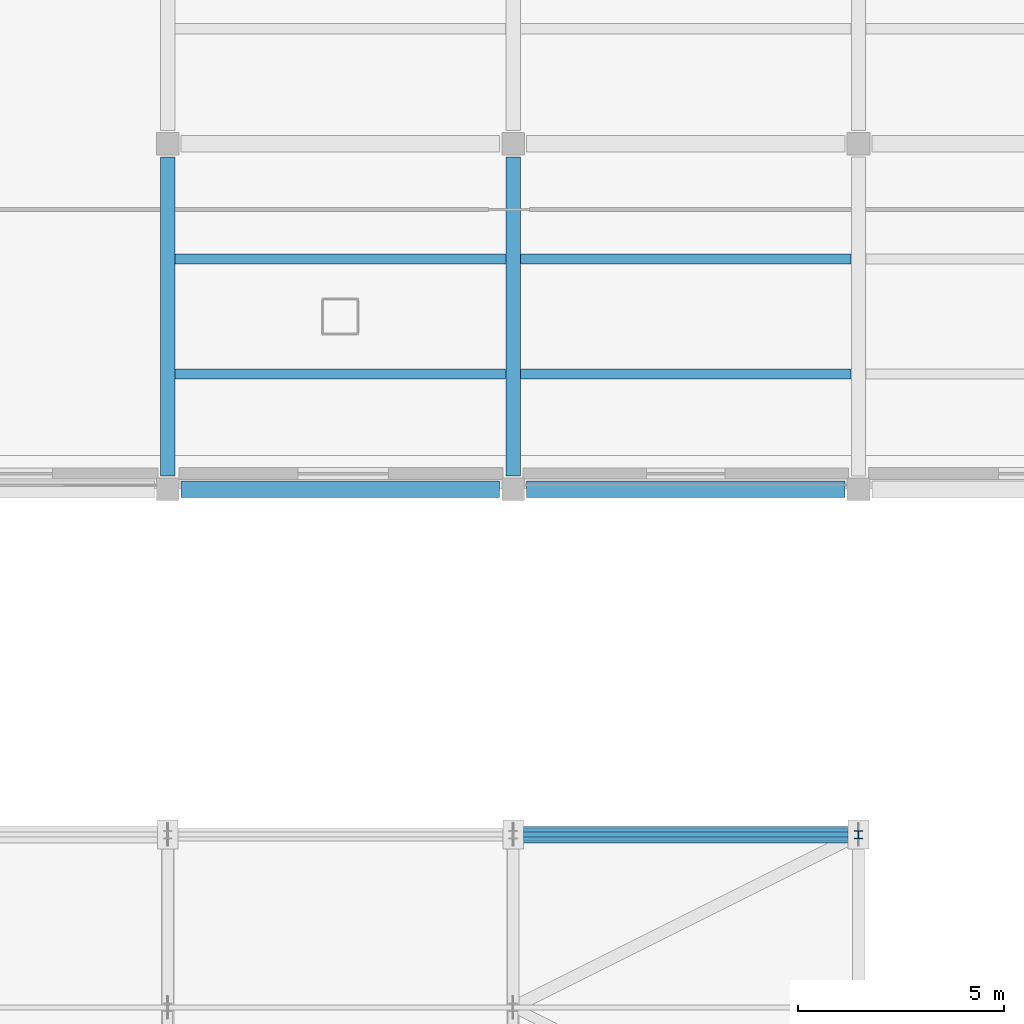
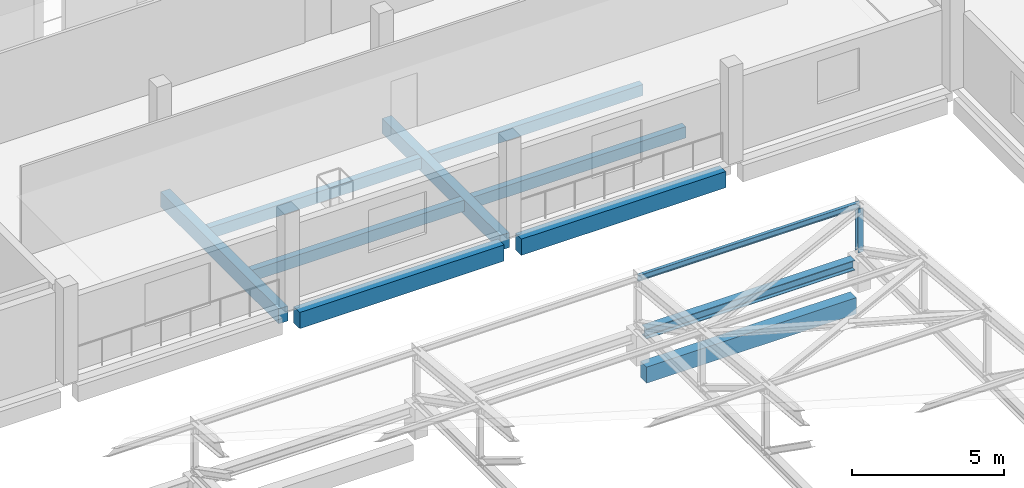
# One storey, part 33 of 74: 10 beams, 2 members.
"""IFC4 building model written with IfcOpenShell, lengths in metres."""

import ifcopenshell
import ifcopenshell.guid

model = None  # the IFC model being written
_history = None  # IfcOwnerHistory: only IFC2X3 demands one
_inside = {}  # id of a spatial element -> (the spatial element, [elements in it])
_under = {}  # id of a project, library or spatial element -> (it, [spatial elements below it])
_declared = {}  # id of a project -> (the project, [libraries it declares])
_typed = {}  # id of a type object -> (the type object, [elements of that type])
_made_of = {}  # id of a material, layer set ... -> (it, [elements and type objects made of it])


def new_model(schema):
    """Start an empty IFC model of exactly this schema.

    Asked for "IFC4X3", IfcOpenShell would pick the latest addendum, in which some entities
    have other attributes; the version numbers below select the first issue.
    IFC2X3 requires an IfcOwnerHistory on every rooted entity: one is made here for all.
    """
    global model, _history
    if schema == "IFC4X3":
        model = ifcopenshell.file(schema_version=(4, 3, 0, 0))
    else:
        model = ifcopenshell.file(schema=schema)
    _inside.clear()
    _under.clear()
    _declared.clear()
    _typed.clear()
    _made_of.clear()
    _history = None
    if model.schema == "IFC2X3":
        org = make("IfcOrganization", Name="unknown")
        user = make(
            "IfcPersonAndOrganization",
            ThePerson=make("IfcPerson", FamilyName="unknown"),
            TheOrganization=org,
        )
        app = make(
            "IfcApplication",
            ApplicationDeveloper=org,
            Version="unknown",
            ApplicationFullName="unknown",
            ApplicationIdentifier="unknown",
        )
        _history = make(
            "IfcOwnerHistory",
            OwningUser=user,
            OwningApplication=app,
            ChangeAction="ADDED",
            CreationDate=0,
        )
    return model


def make(cls, **values):
    """One entity of the class cls with the attributes given. An attribute that is None is left unset."""
    return model.create_entity(
        cls, **{name: value for name, value in values.items() if value is not None}
    )


def rooted(cls, **values):
    """An entity with a GlobalId (a new one), such as an element, a storey or a relation."""
    return make(cls, GlobalId=ifcopenshell.guid.new(), OwnerHistory=_history, **values)


def si_unit(unit_type, name, prefix=None):
    """IfcSIUnit, for example si_unit("LENGTHUNIT", "METRE", prefix="MILLI")."""
    return make("IfcSIUnit", UnitType=unit_type, Prefix=prefix, Name=name)


def derived_unit(unit_type, elements):
    """IfcDerivedUnit: a product of units, each with its exponent."""
    return make(
        "IfcDerivedUnit",
        Elements=[
            make("IfcDerivedUnitElement", Unit=unit, Exponent=power)
            for unit, power in elements
        ],
        UnitType=unit_type,
    )


def assignment(units):
    """IfcUnitAssignment: the units of a project."""
    return None if units is None else make("IfcUnitAssignment", Units=units)


def point(xyz):
    """IfcCartesianPoint."""
    return None if xyz is None else make("IfcCartesianPoint", Coordinates=xyz)


def direction(xyz):
    """IfcDirection."""
    return None if xyz is None else make("IfcDirection", DirectionRatios=xyz)


def frame(location, z_axis=None, x_axis=None):
    """IfcAxis2Placement3D, a coordinate frame: its origin and axes. An axis left out is left unset."""
    return make(
        "IfcAxis2Placement3D",
        Location=point(location),
        Axis=direction(z_axis),
        RefDirection=direction(x_axis),
    )


def frame_2d(location, x_axis=None):
    """IfcAxis2Placement2D, a coordinate frame in the plane: its origin and x axis."""
    return make(
        "IfcAxis2Placement2D", Location=point(location), RefDirection=direction(x_axis)
    )


def origin():
    """The frame at (0, 0, 0) with its axes left unset."""
    return frame((0.0, 0.0, 0.0))


def origin_2d():
    """The frame at (0, 0) in the plane with its x axis left unset."""
    return frame_2d((0.0, 0.0))


def place(relative_to, where):
    """IfcLocalPlacement: puts the frame where relative to a parent placement (None: the world)."""
    return make(
        "IfcLocalPlacement", PlacementRelTo=relative_to, RelativePlacement=where
    )


def context(
    kind, dimensions, precision=None, world=None, true_north=None, identifier=None
):
    """IfcGeometricRepresentationContext, for example the 3D "Model" context."""
    return make(
        "IfcGeometricRepresentationContext",
        ContextIdentifier=identifier,
        ContextType=kind,
        CoordinateSpaceDimension=dimensions,
        Precision=precision,
        WorldCoordinateSystem=world,
        TrueNorth=true_north,
    )


def subcontext(parent, identifier, kind, view, scale=None):
    """IfcGeometricRepresentationSubContext, for example "Body" below "Model"."""
    return make(
        "IfcGeometricRepresentationSubContext",
        ContextIdentifier=identifier,
        ContextType=kind,
        ParentContext=parent,
        TargetScale=scale,
        TargetView=view,
    )


def project(units=None, contexts=None):
    """IfcProject with its units and contexts."""
    return rooted(
        "IfcProject",
        Name="project",
        RepresentationContexts=contexts,
        UnitsInContext=assignment(units),
    )


def spatial(cls, under=None, at=None, **own):
    """A site, building, storey or space (cls), placed at a placement, below another one or the project."""
    s = rooted(cls, ObjectPlacement=at, **own)
    if under is not None:
        _under.setdefault(under.id(), (under, []))[1].append(s)
    return s


def profile(cls, at=None, kind="AREA", **sizes):
    """A parametric profile (cls). Its sizes go by their IFC names, for example OverallWidth=200.0."""
    return make(cls, ProfileType=kind, Position=at, **sizes)


def rectangle(**sizes):
    """IfcRectangleProfileDef."""
    return profile("IfcRectangleProfileDef", **sizes)


def i_section(**sizes):
    """IfcIShapeProfileDef."""
    return profile("IfcIShapeProfileDef", **sizes)


def extrude(swept, where, along, depth):
    """IfcExtrudedAreaSolid: the profile swept, set in the frame where, extruded along a direction by depth."""
    return make(
        "IfcExtrudedAreaSolid",
        SweptArea=swept,
        Position=where,
        ExtrudedDirection=direction(along),
        Depth=depth,
    )


def shape(context_of_items, identifier, shape_type, items):
    """IfcShapeRepresentation: the items that make up one representation, for example the "Body"."""
    return make(
        "IfcShapeRepresentation",
        ContextOfItems=context_of_items,
        RepresentationIdentifier=identifier,
        RepresentationType=shape_type,
        Items=items,
    )


def material(Name=None, Category=None):
    """IfcMaterial."""
    return make("IfcMaterial", Name=Name, Category=Category)


def material_profile(
    of_material, cross_section, Name=None, Category=None, Priority=None
):
    """IfcMaterialProfile: a cross section and its material."""
    return make(
        "IfcMaterialProfile",
        Name=Name,
        Material=of_material,
        Profile=cross_section,
        Priority=Priority,
        Category=Category,
    )


def profile_set(profiles, Name=None, composite=None):
    """IfcMaterialProfileSet."""
    return make(
        "IfcMaterialProfileSet",
        Name=Name,
        MaterialProfiles=profiles,
        CompositeProfile=composite,
    )


def made_of(thing, what):
    """Note that an element or type object is made of a material, layer set ...; save() writes the relation."""
    if what is not None:
        _made_of.setdefault(what.id(), (what, []))[1].append(thing)
    return thing


def type_object(cls, material=None, **own):
    """A type object (cls), such as IfcWallType, which elements share."""
    return made_of(rooted(cls, **own), material)


def element(
    cls,
    number,
    at=None,
    inside=None,
    cuts=None,
    type_object=None,
    material=None,
    context=None,
    identifier="Body",
    shape_type=None,
    held_by="IfcProductDefinitionShape",
    body=None,
    shapes=None,
    **own,
):
    """One element of the class cls, such as IfcWall. Its Tag is "e" and its number.

    at: its placement. inside: the storey or other place that contains it. cuts: it is an
    opening in that element (IfcRelVoidsElement). A single representation is given by context,
    identifier, shape_type and body (its items); several are given by shapes. held_by: the class
    of the entity that holds the representations. save() writes the other relations.
    """
    e = rooted(cls, Tag="e%d" % number, ObjectPlacement=at, **own)
    if body is not None:
        shapes = [shape(context, identifier, shape_type, body)]
    if shapes is not None:
        e.Representation = make(held_by, Representations=shapes)
    if inside is not None:
        _inside.setdefault(inside.id(), (inside, []))[1].append(e)
    if cuts is not None:
        rooted(
            "IfcRelVoidsElement", RelatingBuildingElement=cuts, RelatedOpeningElement=e
        )
    if type_object is not None:
        _typed.setdefault(type_object.id(), (type_object, []))[1].append(e)
    return made_of(e, material)


def aggregate(whole, parts):
    """IfcRelAggregates: a whole, such as a stair, and the parts it consists of."""
    return rooted("IfcRelAggregates", RelatingObject=whole, RelatedObjects=parts)


def save(model, path):
    """Write the relations noted so far, then the file.

    IfcRelAggregates (storeys below a building ...), IfcRelContainedInSpatialStructure (elements
    in a storey), IfcRelDefinesByType, IfcRelAssociatesMaterial and IfcRelDeclares: one each for
    every whole, place, type object, material and project.
    """
    for whole, parts in _under.values():
        aggregate(whole, parts)
    for where, things in _inside.values():
        rooted(
            "IfcRelContainedInSpatialStructure",
            RelatedElements=things,
            RelatingStructure=where,
        )
    for kind, things in _typed.values():
        rooted("IfcRelDefinesByType", RelatedObjects=things, RelatingType=kind)
    for what, things in _made_of.values():
        rooted("IfcRelAssociatesMaterial", RelatedObjects=things, RelatingMaterial=what)
    for by, libraries in _declared.values():
        rooted("IfcRelDeclares", RelatingContext=by, RelatedDefinitions=libraries)
    model.write(path)


model = new_model("IFC4")

# Units and contexts
model_context = context("Model", 3, precision=1e-05, world=origin(), true_north=direction((0.0, 1.0)))
body_context = subcontext(model_context, "Body", "Model", "MODEL_VIEW")
ifc_project = project(units=[si_unit("LENGTHUNIT", "METRE"), si_unit("AREAUNIT", "SQUARE_METRE"), si_unit("VOLUMEUNIT", "CUBIC_METRE"), si_unit("PLANEANGLEUNIT", "RADIAN"), si_unit("MASSUNIT", "GRAM", prefix="KILO"), derived_unit("THERMALTRANSMITTANCEUNIT", [(si_unit("POWERUNIT", "WATT"), 1), (si_unit("LENGTHUNIT", "METRE"), -2), (si_unit("THERMODYNAMICTEMPERATUREUNIT", "KELVIN"), -1)])], contexts=[model_context])

# Site, building, storey
site_placement = place(None, origin())
site = spatial("IfcSite", under=ifc_project, at=site_placement, CompositionType="ELEMENT")
building_placement = place(site_placement, origin())
building = spatial("IfcBuilding", under=site, at=building_placement, Name="Elbkamm Science Centre", CompositionType="ELEMENT")
storey_placement = place(building_placement, frame((0.0, 0.0, 14.39990234375)))
storey = spatial("IfcBuildingStorey", under=building, at=storey_placement, Name="L03", CompositionType="ELEMENT", Elevation=14.39990234375)

# Beams
ifc_material_1 = material(Name="Concrete C40/50", Category="concrete")
ifc_material_profile_1 = material_profile(ifc_material_1, rectangle(XDim=0.35009765625, YDim=0.60009765625, at=origin_2d()), Name="RC 350x600")
ifc_profile_set_1 = profile_set([ifc_material_profile_1], Name="Concrete C40/50")
beam_type_1 = type_object("IfcBeamType", Name="BM-RC-350x600", PredefinedType="BEAM", material=ifc_profile_set_1)
for number, where, z_axis, x_axis, name in (
    (1, (100.800048828125, 42.324951171875, -0.579833984375), (0.0, 1.0, 0.0), (-1.0, 0.0, 0.0), "L03 Primary Y-Girder 003"),
    (2, (109.199951171875, 42.324951171875, -0.579833984375), (0.0, 1.0, 0.0), (-1.0, 0.0, 0.0), "L03 Primary Y-Girder 005"),
):
    element("IfcBeam", number, at=place(storey_placement, frame(where, z_axis=z_axis, x_axis=x_axis)), inside=storey, type_object=beam_type_1, Name=name, PredefinedType="BEAM", context=body_context, shape_type="SweptSolid", body=[
        extrude(rectangle(XDim=0.35009765625, YDim=0.60009765625, at=origin_2d()), origin(), (0.0, 0.0, 1.0), 7.75),
    ])
ifc_material_profile_2 = material_profile(ifc_material_1, rectangle(XDim=0.39990234375, YDim=0.64990234375, at=origin_2d()), Name="RC 400x650")
ifc_profile_set_2 = profile_set([ifc_material_profile_2], Name="Concrete C40/50")
beam_type_2 = type_object("IfcBeamType", Name="BM-RC-400x650", PredefinedType="BEAM", material=ifc_profile_set_2)
for number, where, z_axis, x_axis, name in (
    (3, (101.125, 42.0, -0.60498046875), (1.0, 0.0, 0.0), (0.0, 1.0, 0.0), "L03 Primary X-Girder 010"),
    (4, (109.52490234375, 42.0, -0.60498046875), (1.0, 0.0, 0.0), (0.0, 1.0, 0.0), "L03 Primary X-Girder 011"),
):
    element("IfcBeam", number, at=place(storey_placement, frame(where, z_axis=z_axis, x_axis=x_axis)), inside=storey, type_object=beam_type_2, Name=name, PredefinedType="BEAM", context=body_context, shape_type="SweptSolid", body=[
        extrude(rectangle(XDim=0.39990234375, YDim=0.64990234375, at=origin_2d()), origin(), (0.0, 0.0, 1.0), 7.75),
    ])
beam_1_placement = place(storey_placement, frame((109.419921875, 33.60009765625, -0.60498046875), z_axis=(1.0, 0.0, 0.0), x_axis=(0.0, 1.0, 0.0)))
element("IfcBeam", 5, at=beam_1_placement, inside=storey, type_object=beam_type_2, Name="L03 Perimeter Ring Tie Girder 056", PredefinedType="BEAM", context=body_context, shape_type="SweptSolid", body=[
    extrude(rectangle(XDim=0.39990234375, YDim=0.64990234375, at=origin_2d()), origin(), (0.0, 0.0, 1.0), 7.9599609375),
])
ifc_material_2 = material(Name="Steel EN 10025-2 S355J2", Category="steel")
ifc_material_profile_3 = material_profile(ifc_material_2, i_section(OverallWidth=0.300048828125, OverallDepth=0.39990234375, WebThickness=0.013427734375, FlangeThickness=0.02392578125, FilletRadius=0.027099609375, at=origin_2d()), Name="HEB 400")
ifc_profile_set_3 = profile_set([ifc_material_profile_3], Name="Steel EN 10025-2 S355J2")
beam_type_3 = type_object("IfcBeamType", Name="BM-STL-HEB400", PredefinedType="BEAM", material=ifc_profile_set_3)
beam_2_placement = place(storey_placement, frame((109.449951171875, 33.60009765625, 1.0), z_axis=(1.0, 0.0, 0.0), x_axis=(0.0, 1.0, 0.0)))
element("IfcBeam", 6, at=beam_2_placement, inside=storey, type_object=beam_type_3, Name="Theatre Eave Tie Girder N06", PredefinedType="SPANDREL", context=body_context, shape_type="SweptSolid", body=[
    extrude(i_section(OverallWidth=0.300048828125, OverallDepth=0.39990234375, WebThickness=0.013427734375, FlangeThickness=0.02392578125, FilletRadius=0.027099609375, at=origin_2d()), origin(), (0.0, 0.0, 1.0), 7.900146484375),
])
ifc_material_profile_4 = material_profile(ifc_material_1, rectangle(XDim=0.25, YDim=0.449951171875, at=origin_2d()), Name="RC 250x450")
ifc_profile_set_4 = profile_set([ifc_material_profile_4], Name="Concrete C40/50")
beam_type_4 = type_object("IfcBeamType", Name="JST-RC-250x450", PredefinedType="JOIST", material=ifc_profile_set_4)
for number, where, z_axis, x_axis, name in (
    (7, (100.97998046875, 44.800048828125, -0.5048828125), (1.0, 0.0, 0.0), (0.0, 1.0, 0.0), "L03 Secondary Floor Joist 003"),
    (8, (100.97998046875, 47.60009765625, -0.5048828125), (1.0, 0.0, 0.0), (0.0, 1.0, 0.0), "L03 Secondary Floor Joist 004"),
    (9, (109.3798828125, 44.800048828125, -0.5048828125), (1.0, 0.0, 0.0), (0.0, 1.0, 0.0), "L03 Secondary Floor Joist 007"),
    (10, (109.3798828125, 47.60009765625, -0.5048828125), (1.0, 0.0, 0.0), (0.0, 1.0, 0.0), "L03 Secondary Floor Joist 008"),
):
    element("IfcBeam", number, at=place(storey_placement, frame(where, z_axis=z_axis, x_axis=x_axis)), inside=storey, type_object=beam_type_4, Name=name, PredefinedType="JOIST", context=body_context, shape_type="SweptSolid", body=[
        extrude(rectangle(XDim=0.25, YDim=0.449951171875, at=origin_2d()), origin(), (0.0, 0.0, 1.0), 8.0400390625),
    ])

# Members
ifc_material_profile_5 = material_profile(ifc_material_2, i_section(OverallWidth=0.1201171875, OverallDepth=0.239990234375, WebThickness=0.006103515625, FlangeThickness=0.009765625, FilletRadius=0.014892578125, at=origin_2d()), Name="IPE 240")
ifc_profile_set_5 = profile_set([ifc_material_profile_5], Name="Steel EN 10025-2 S355J2")
member_type_1 = type_object("IfcMemberType", Name="MEM-PURLIN-IPE240", PredefinedType="PURLIN", material=ifc_profile_set_5)
member_1_placement = place(storey_placement, frame((109.199951171875, 33.60009765625, 3.257080078125), z_axis=(1.0, 0.0, 0.0), x_axis=(0.0, 1.0, 0.0)))
element("IfcMember", 11, at=member_1_placement, inside=storey, type_object=member_type_1, Name="Theatre Roof Purlin Bay 6-9", PredefinedType="PURLIN", context=body_context, shape_type="SweptSolid", body=[
    extrude(i_section(OverallWidth=0.1201171875, OverallDepth=0.239990234375, WebThickness=0.006103515625, FlangeThickness=0.009765625, FilletRadius=0.014892578125, at=origin_2d()), origin(), (0.0, 0.0, 1.0), 8.400146484375),
])
ifc_material_profile_6 = material_profile(ifc_material_2, i_section(OverallWidth=0.199951171875, OverallDepth=0.199951171875, WebThickness=0.009033203125, FlangeThickness=0.014892578125, FilletRadius=0.01806640625, at=origin_2d()), Name="HEB 200")
ifc_profile_set_6 = profile_set([ifc_material_profile_6], Name="Steel EN 10025-2 S355J2")
member_type_2 = type_object("IfcMemberType", Name="MEM-STRUT-HEB200", PredefinedType="STRUT", material=ifc_profile_set_6)
member_2_placement = place(storey_placement, frame((117.60009765625, 33.60009765625, 1.400146484375), z_axis=(0.0, 0.0, 1.0), x_axis=(1.0, 0.0, 0.0)))
element("IfcMember", 12, at=member_2_placement, inside=storey, type_object=member_type_2, Name="Theatre Steel Truss 07 Vertical Strut 9", PredefinedType="STRUT", context=body_context, shape_type="SweptSolid", body=[
    extrude(i_section(OverallWidth=0.199951171875, OverallDepth=0.199951171875, WebThickness=0.009033203125, FlangeThickness=0.014892578125, FilletRadius=0.01806640625, at=origin_2d()), origin(), (0.0, 0.0, 1.0), 1.7568359375),
])

save(model, "model.ifc")
